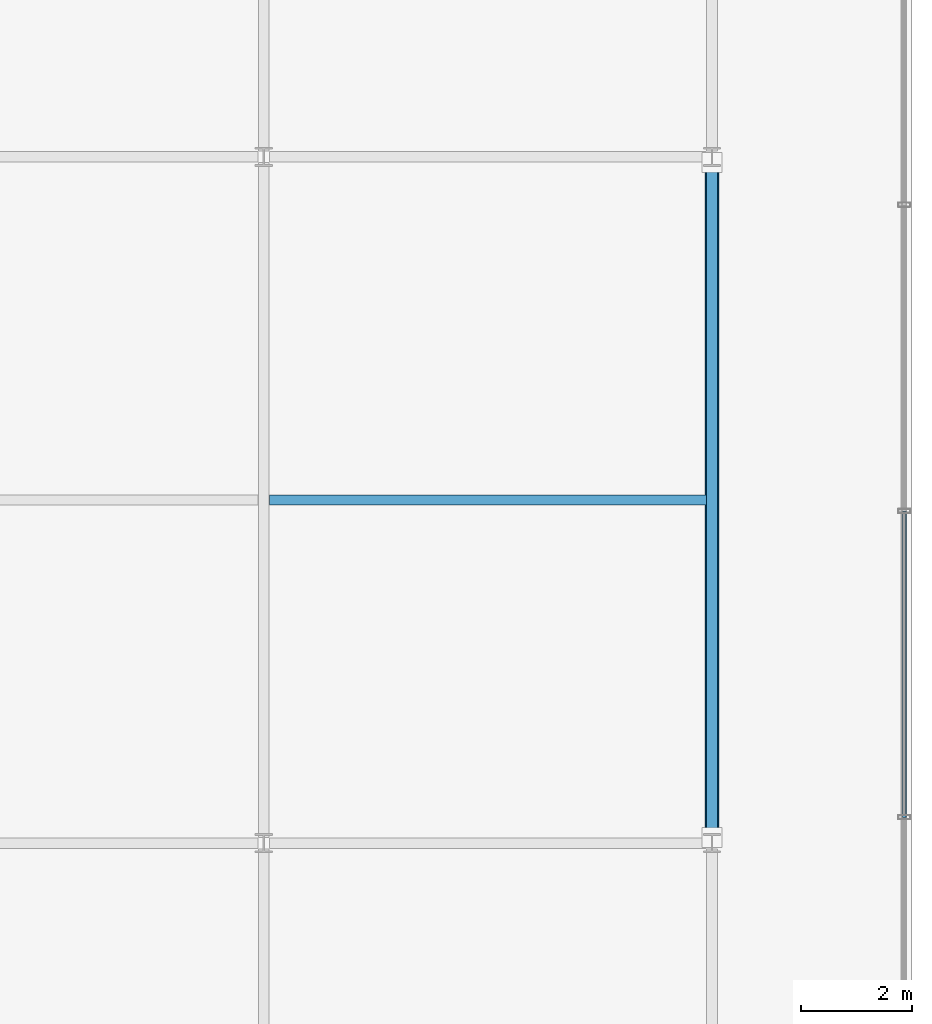
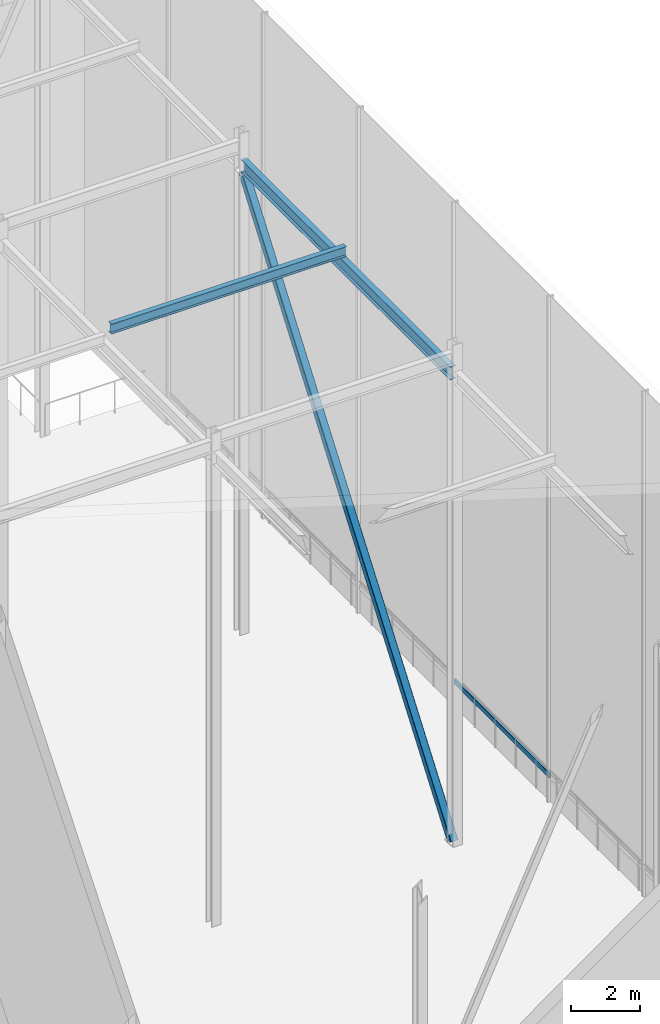
# One storey, part 29 of 39: 2 beams, 2 members, 1 element without a shape of its own.
"""IFC4 building model written with IfcOpenShell, lengths in metres."""

from ifc_helpers import new_model, si_unit, direction, frame, origin, origin_2d, place, context, subcontext, project, spatial, hollow_rectangle, i_section, extrude, material, layer, layer_set, material_profile, profile_set, type_object, element, aggregate, save


model = new_model("IFC4")

# Units and contexts
model_context = context("Model", 3, precision=1e-05, world=origin(), true_north=direction((0.0, 1.0)))
body_context = subcontext(model_context, "Body", "Model", "MODEL_VIEW")
ifc_project = project(units=[si_unit("LENGTHUNIT", "METRE"), si_unit("AREAUNIT", "SQUARE_METRE"), si_unit("VOLUMEUNIT", "CUBIC_METRE"), si_unit("PLANEANGLEUNIT", "RADIAN"), si_unit("MASSUNIT", "GRAM", prefix="KILO")], contexts=[model_context])

# Site, building, storey
site_placement = place(None, origin())
site = spatial("IfcSite", under=ifc_project, at=site_placement, CompositionType="ELEMENT")
building_placement = place(site_placement, origin())
building = spatial("IfcBuilding", under=site, at=building_placement, Name="Korimba Cascade Residences", CompositionType="ELEMENT")
storey_placement = place(building_placement, frame((0.0, 0.0, 264.199951171875)))
storey = spatial("IfcBuildingStorey", under=building, at=storey_placement, Name="RF", CompositionType="ELEMENT", Elevation=264.199951171875)

# Beams
ifc_material_1 = material(Name="Steel S355", Category="steel")
ifc_material_profile_1 = material_profile(ifc_material_1, i_section(OverallWidth=0.172119140625, OverallDepth=0.35791015625, WebThickness=0.008056640625, FlangeThickness=0.012939453125, FilletRadius=0.01025390625, at=origin_2d()), Name="Steel S355")
ifc_profile_set_1 = profile_set([ifc_material_profile_1], Name="Steel S355")
beam_type_1 = type_object("IfcBeamType", Name="BM-STL-UB356", PredefinedType="JOIST", material=ifc_profile_set_1)
beam_1_placement = place(storey_placement, frame((120.39990234375, 73.39990234375, 17.33642578125), z_axis=(1.0, 0.0, 0.0), x_axis=(0.0, 1.0, 0.0)))
element("IfcBeam", 1, at=beam_1_placement, inside=storey, type_object=beam_type_1, Name="RF Crown Cap Joist E2.3", PredefinedType="JOIST", context=body_context, shape_type="SweptSolid", body=[
    extrude(i_section(OverallWidth=0.172119140625, OverallDepth=0.35791015625, WebThickness=0.008056640625, FlangeThickness=0.012939453125, FilletRadius=0.01025390625, at=origin_2d()), origin(), (0.0, 0.0, 1.0), 7.900146484375),
])
ifc_material_profile_2 = material_profile(ifc_material_1, i_section(OverallWidth=0.19140625, OverallDepth=0.4599609375, WebThickness=0.010009765625, FlangeThickness=0.01611328125, FilletRadius=0.01025390625, at=origin_2d()), Name="Steel S355")
ifc_profile_set_2 = profile_set([ifc_material_profile_2], Name="Steel S355")
beam_type_2 = type_object("IfcBeamType", Name="BM-STL-UB457", PredefinedType="JOIST", material=ifc_profile_set_2)
beam_2_placement = place(storey_placement, frame((128.39990234375, 67.304931640625, 16.638916015625), z_axis=(0.0, 1.0, 0.0), x_axis=(-1.0, 0.0, 0.0)))
element("IfcBeam", 2, at=beam_2_placement, inside=storey, type_object=beam_type_2, Name="RF Crown Cap Tie Beam E4.2", PredefinedType="JOIST", context=body_context, shape_type="SweptSolid", body=[
    extrude(i_section(OverallWidth=0.19140625, OverallDepth=0.4599609375, WebThickness=0.010009765625, FlangeThickness=0.01611328125, FilletRadius=0.01025390625, at=origin_2d()), origin(), (0.0, 0.0, 1.0), 12.190185546875),
])

# Curtain wall, member
ifc_material_2 = material(Name="Anodised Aluminium Curtain Wall Framing", Category="aluminium")
ifc_layer = layer(ifc_material_2, 0.179931640625)
ifc_layer_set = layer_set([ifc_layer], Name="Anodised Aluminium Curtain Wall Framing")
curtain_wall_type = type_object("IfcCurtainWallType", Name="CW-CRNW-SYS5", PredefinedType="NOTDEFINED", material=ifc_layer_set)
curtain_wall_placement = place(storey_placement, origin())
curtain_wall = element("IfcCurtainWall", 3, at=curtain_wall_placement, inside=storey, type_object=curtain_wall_type, Name="RF Curtain Wall CW-RF-CRN-E-1", PredefinedType="NOTDEFINED")
ifc_material_3 = material(Name="Anodised Aluminium Transom", Category="aluminium")
ifc_material_profile_3 = material_profile(ifc_material_3, hollow_rectangle(XDim=0.070068359375, YDim=0.179931640625, WallThickness=0.0048828125, InnerFilletRadius=0.0048828125, OuterFilletRadius=0.010009765625, at=origin_2d()), Name="Anodised Aluminium Transom")
ifc_profile_set_3 = profile_set([ifc_material_profile_3], Name="Anodised Aluminium Transom")
member_type_1 = type_object("IfcMemberType", Name="CWM-TRN-150", PredefinedType="USERDEFINED", material=ifc_profile_set_3)
member_1_placement = place(storey_placement, frame((131.875, 67.666748046875, 0.900146484375), z_axis=(0.0, 1.0, 0.0), x_axis=(-1.0, 0.0, 0.0)))
member_1 = element("IfcMember", 4, at=member_1_placement, type_object=member_type_1, Name="CW-RF-CRN-E-1 Transom 3", ObjectType="TRANSOM", PredefinedType="USERDEFINED", context=body_context, shape_type="SweptSolid", body=[
    extrude(hollow_rectangle(XDim=0.070068359375, YDim=0.179931640625, WallThickness=0.0048828125, InnerFilletRadius=0.0048828125, OuterFilletRadius=0.010009765625, at=origin_2d()), origin(), (0.0, 0.0, 1.0), 5.533203125),
])
aggregate(curtain_wall, [member_1])

# Member
ifc_material_profile_4 = material_profile(ifc_material_1, hollow_rectangle(XDim=0.25, YDim=0.25, WallThickness=0.010009765625, InnerFilletRadius=0.010009765625, OuterFilletRadius=0.02001953125, at=origin_2d()), Name="Steel S355")
ifc_profile_set_4 = profile_set([ifc_material_profile_4], Name="Steel S355")
member_type_2 = type_object("IfcMemberType", Name="MEM-CRN-SHS250", PredefinedType="STRUT", material=ifc_profile_set_4)
member_2_placement = place(storey_placement, frame((128.39990234375, 67.304931640625, 0.0), z_axis=(0.0, 0.59620286187, 0.80283382309), x_axis=(-1.0, 0.0, 0.0)))
element("IfcMember", 5, at=member_2_placement, inside=storey, type_object=member_type_2, Name="RF CROWN FRAME Strut E4", PredefinedType="STRUT", context=body_context, shape_type="SweptSolid", body=[
    extrude(hollow_rectangle(XDim=0.25, YDim=0.25, WallThickness=0.010009765625, InnerFilletRadius=0.010009765625, OuterFilletRadius=0.02001953125, at=origin_2d()), origin(), (0.0, 0.0, 1.0), 20.4462890625),
])

save(model, "model.ifc")
